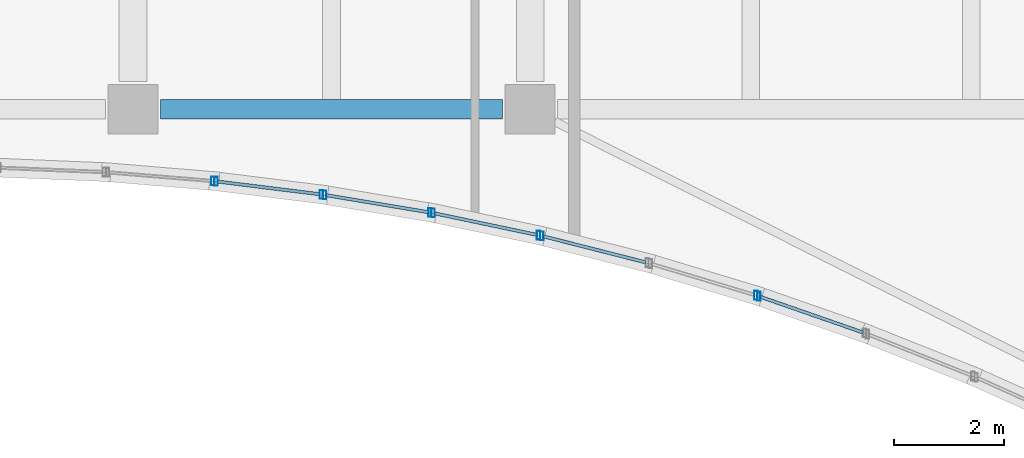
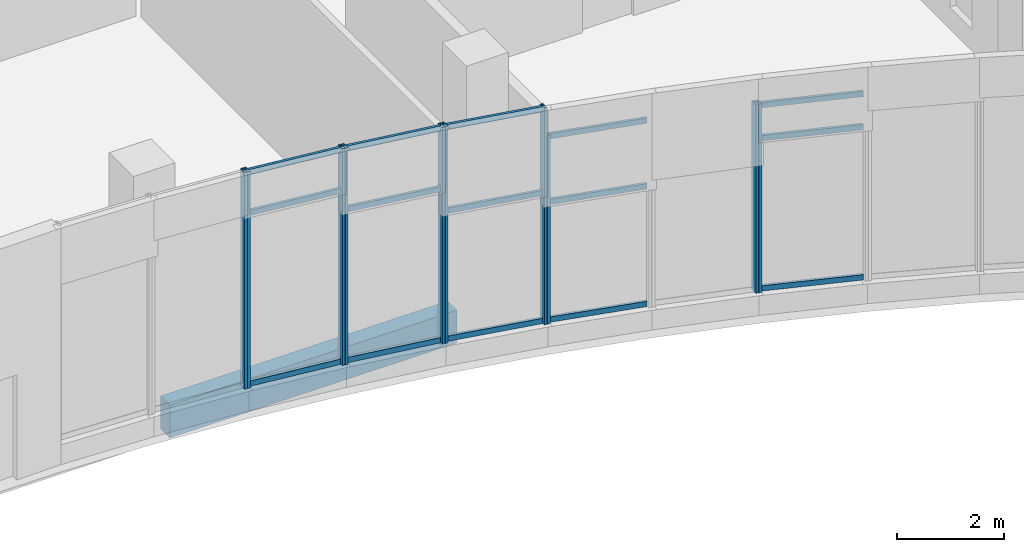
# One storey, part 98 of 192: 25 members, 1 beam, 7 elements without a shape of their own.
"""IFC4 building model written with IfcOpenShell, lengths in metres."""

from ifc_helpers import new_model, si_unit, direction, frame, origin, origin_2d, place, context, subcontext, project, spatial, rectangle, hollow_rectangle, extrude, material, material_profile, profile_set, type_object, element, aggregate, save


model = new_model("IFC4")

# Units and contexts
model_context = context("Model", 3, precision=1e-05, world=origin(), true_north=direction((0.0, 1.0)))
body_context = subcontext(model_context, "Body", "Model", "MODEL_VIEW")
ifc_project = project(units=[si_unit("LENGTHUNIT", "METRE"), si_unit("AREAUNIT", "SQUARE_METRE"), si_unit("VOLUMEUNIT", "CUBIC_METRE"), si_unit("PLANEANGLEUNIT", "RADIAN"), si_unit("MASSUNIT", "GRAM", prefix="KILO")], contexts=[model_context])

# Site, building, storey
site_placement = place(None, origin())
site = spatial("IfcSite", under=ifc_project, at=site_placement, CompositionType="ELEMENT")
building_placement = place(site_placement, origin())
building = spatial("IfcBuilding", under=site, at=building_placement, Name="Cendralis Lancet Convention Centre", CompositionType="ELEMENT")
storey_placement = place(building_placement, origin())
storey = spatial("IfcBuildingStorey", under=building, at=storey_placement, Name="L00", CompositionType="ELEMENT", Elevation=0.0)

# Curtain wall, member
ifc_material_1 = material(Name="Anodised bronze architectural aluminium", Category="aluminium")
curtain_wall_type = type_object("IfcCurtainWallType", Name="ARC-CW-WF02", PredefinedType="USERDEFINED", material=ifc_material_1)
curtain_wall_1_placement = place(storey_placement, origin())
curtain_wall_1 = element("IfcCurtainWall", 1, at=curtain_wall_1_placement, inside=storey, type_object=curtain_wall_type, Name="L00 Curtain Wall CW-WF2 #081", ObjectType="CURTAIN WALL", PredefinedType="USERDEFINED")
ifc_material_profile_1 = material_profile(ifc_material_1, hollow_rectangle(XDim=0.06005859375, YDim=0.159912109375, WallThickness=0.00390625, at=origin_2d()), Name="AL-MULL 60x160x4.0")
ifc_profile_set_1 = profile_set([ifc_material_profile_1], Name="Anodised bronze architectural aluminium")
member_type_1 = type_object("IfcMemberType", Name="ARC-CW-ML01", PredefinedType="MULLION", material=ifc_profile_set_1)
member_1_placement = place(storey_placement, frame((191.047119140625, 5.8974609375, 0.449951171875), z_axis=(0.0, 0.0, 1.0), x_axis=(1.0, 0.0, 0.0)))
member_1 = element("IfcMember", 2, at=member_1_placement, type_object=member_type_1, Name="Mullion CW2-CW-WF2-L00-081-M1", PredefinedType="MULLION", context=body_context, shape_type="SweptSolid", body=[
    extrude(hollow_rectangle(XDim=0.06005859375, YDim=0.159912109375, WallThickness=0.00390625, at=origin_2d()), origin(), (0.0, 0.0, 1.0), 4.949951171875),
])
aggregate(curtain_wall_1, [member_1])

# Curtain wall, members
curtain_wall_2_placement = place(storey_placement, origin())
curtain_wall_2 = element("IfcCurtainWall", 3, at=curtain_wall_2_placement, inside=storey, type_object=curtain_wall_type, Name="L00 Curtain Wall CW-WF2 #082", ObjectType="CURTAIN WALL", PredefinedType="USERDEFINED")
member_2_placement = place(storey_placement, frame((191.106689453125, 5.891357421875, 0.449951171875), z_axis=(0.0, 0.0, 1.0), x_axis=(1.0, 0.0, 0.0)))
member_2 = element("IfcMember", 4, at=member_2_placement, type_object=member_type_1, Name="Mullion CW2-CW-WF2-L00-082-M0", PredefinedType="MULLION", context=body_context, shape_type="SweptSolid", body=[
    extrude(hollow_rectangle(XDim=0.06005859375, YDim=0.159912109375, WallThickness=0.00390625, at=origin_2d()), origin(), (0.0, 0.0, 1.0), 4.949951171875),
])
member_3_placement = place(storey_placement, frame((193.01611328125, 5.65380859375, 0.449951171875), z_axis=(0.0, 0.0, 1.0), x_axis=(1.0, 0.0, 0.0)))
member_3 = element("IfcMember", 5, at=member_3_placement, type_object=member_type_1, Name="Mullion CW2-CW-WF2-L00-082-M1", PredefinedType="MULLION", context=body_context, shape_type="SweptSolid", body=[
    extrude(hollow_rectangle(XDim=0.06005859375, YDim=0.159912109375, WallThickness=0.00390625, at=origin_2d()), origin(), (0.0, 0.0, 1.0), 4.949951171875),
])

curtain_wall_3_placement = place(storey_placement, origin())
curtain_wall_3 = element("IfcCurtainWall", 6, at=curtain_wall_3_placement, inside=storey, type_object=curtain_wall_type, Name="L00 Curtain Wall CW-WF2 #083", ObjectType="CURTAIN WALL", PredefinedType="USERDEFINED")
member_4_placement = place(storey_placement, frame((193.07568359375, 5.64501953125, 0.449951171875), z_axis=(0.0, 0.0, 1.0), x_axis=(1.0, 0.0, 0.0)))
member_4 = element("IfcMember", 7, at=member_4_placement, type_object=member_type_1, Name="Mullion CW2-CW-WF2-L00-083-M0", PredefinedType="MULLION", context=body_context, shape_type="SweptSolid", body=[
    extrude(hollow_rectangle(XDim=0.06005859375, YDim=0.159912109375, WallThickness=0.00390625, at=origin_2d()), origin(), (0.0, 0.0, 1.0), 4.949951171875),
])
member_5_placement = place(storey_placement, frame((194.9853515625, 5.326904296875, 0.449951171875), z_axis=(0.0, 0.0, 1.0), x_axis=(1.0, 0.0, 0.0)))
member_5 = element("IfcMember", 8, at=member_5_placement, type_object=member_type_1, Name="Mullion CW2-CW-WF2-L00-083-M1", PredefinedType="MULLION", context=body_context, shape_type="SweptSolid", body=[
    extrude(hollow_rectangle(XDim=0.06005859375, YDim=0.159912109375, WallThickness=0.00390625, at=origin_2d()), origin(), (0.0, 0.0, 1.0), 4.949951171875),
])

curtain_wall_4_placement = place(storey_placement, origin())
curtain_wall_4 = element("IfcCurtainWall", 9, at=curtain_wall_4_placement, inside=storey, type_object=curtain_wall_type, Name="L00 Curtain Wall CW-WF2 #084", ObjectType="CURTAIN WALL", PredefinedType="USERDEFINED")
member_6_placement = place(storey_placement, frame((195.04443359375, 5.31591796875, 0.449951171875), z_axis=(0.0, 0.0, 1.0), x_axis=(1.0, 0.0, 0.0)))
member_6 = element("IfcMember", 10, at=member_6_placement, type_object=member_type_1, Name="Mullion CW2-CW-WF2-L00-084-M0", PredefinedType="MULLION", context=body_context, shape_type="SweptSolid", body=[
    extrude(hollow_rectangle(XDim=0.06005859375, YDim=0.159912109375, WallThickness=0.00390625, at=origin_2d()), origin(), (0.0, 0.0, 1.0), 4.949951171875),
])
member_7_placement = place(storey_placement, frame((196.95556640625, 4.914306640625, 0.449951171875), z_axis=(0.0, 0.0, 1.0), x_axis=(1.0, 0.0, 0.0)))
member_7 = element("IfcMember", 11, at=member_7_placement, type_object=member_type_1, Name="Mullion CW2-CW-WF2-L00-084-M1", PredefinedType="MULLION", context=body_context, shape_type="SweptSolid", body=[
    extrude(hollow_rectangle(XDim=0.06005859375, YDim=0.159912109375, WallThickness=0.00390625, at=origin_2d()), origin(), (0.0, 0.0, 1.0), 4.949951171875),
])

# Curtain wall, member
curtain_wall_5_placement = place(storey_placement, origin())
curtain_wall_5 = element("IfcCurtainWall", 12, at=curtain_wall_5_placement, inside=storey, type_object=curtain_wall_type, Name="L00 Curtain Wall CW-WF2 #085", ObjectType="CURTAIN WALL", PredefinedType="USERDEFINED")
member_8_placement = place(storey_placement, frame((197.01416015625, 4.900634765625, 0.449951171875), z_axis=(0.0, 0.0, 1.0), x_axis=(1.0, 0.0, 0.0)))
member_8 = element("IfcMember", 13, at=member_8_placement, type_object=member_type_1, Name="Mullion CW2-CW-WF2-L00-085-M0", PredefinedType="MULLION", context=body_context, shape_type="SweptSolid", body=[
    extrude(hollow_rectangle(XDim=0.06005859375, YDim=0.159912109375, WallThickness=0.00390625, at=origin_2d()), origin(), (0.0, 0.0, 1.0), 4.304931640625),
])

curtain_wall_6_placement = place(storey_placement, origin())
curtain_wall_6 = element("IfcCurtainWall", 14, at=curtain_wall_6_placement, inside=storey, type_object=curtain_wall_type, Name="L00 Curtain Wall CW-WF2 #086", ObjectType="CURTAIN WALL", PredefinedType="USERDEFINED")
member_9_placement = place(storey_placement, frame((200.894287109375, 3.82470703125, 0.449951171875), z_axis=(0.0, 0.0, 1.0), x_axis=(1.0, 0.0, 0.0)))
member_9 = element("IfcMember", 15, at=member_9_placement, type_object=member_type_1, Name="Mullion CW2-CW-WF2-L00-086-M1", PredefinedType="MULLION", context=body_context, shape_type="SweptSolid", body=[
    extrude(hollow_rectangle(XDim=0.06005859375, YDim=0.159912109375, WallThickness=0.00390625, at=origin_2d()), origin(), (0.0, 0.0, 1.0), 4.304931640625),
])
aggregate(curtain_wall_6, [member_9])

curtain_wall_7_placement = place(storey_placement, origin())
curtain_wall_7 = element("IfcCurtainWall", 16, at=curtain_wall_7_placement, inside=storey, type_object=curtain_wall_type, Name="L00 Curtain Wall CW-WF2 #087", ObjectType="CURTAIN WALL", PredefinedType="USERDEFINED")
member_10_placement = place(storey_placement, frame((200.951416015625, 3.80615234375, 0.449951171875), z_axis=(0.0, 0.0, 1.0), x_axis=(1.0, 0.0, 0.0)))
member_10 = element("IfcMember", 17, at=member_10_placement, type_object=member_type_1, Name="Mullion CW2-CW-WF2-L00-087-M0", PredefinedType="MULLION", context=body_context, shape_type="SweptSolid", body=[
    extrude(hollow_rectangle(XDim=0.06005859375, YDim=0.159912109375, WallThickness=0.00390625, at=origin_2d()), origin(), (0.0, 0.0, 1.0), 4.304931640625),
])

# Member
ifc_material_profile_2 = material_profile(ifc_material_1, hollow_rectangle(XDim=0.06005859375, YDim=0.1201171875, WallThickness=0.00390625, at=origin_2d()), Name="AL-TRAN 60x120x4.0")
ifc_profile_set_2 = profile_set([ifc_material_profile_2], Name="Anodised bronze architectural aluminium")
member_type_2 = type_object("IfcMemberType", Name="ARC-CW-TR01", PredefinedType="USERDEFINED", material=ifc_profile_set_2)
member_11_placement = place(storey_placement, frame((191.136474609375, 5.8876953125, 0.510009765625), z_axis=(0.992346222819, -0.123486736358, 0.0), x_axis=(0.123486736358, 0.992346222819, 0.0)))
member_11 = element("IfcMember", 18, at=member_11_placement, type_object=member_type_2, Name="Transom CW2-CW-WF2-L00-082-T0BOT", ObjectType="TRANSOM", PredefinedType="USERDEFINED", context=body_context, shape_type="SweptSolid", body=[
    extrude(hollow_rectangle(XDim=0.06005859375, YDim=0.1201171875, WallThickness=0.00390625, at=origin_2d()), origin(), (0.0, 0.0, 1.0), 1.8642578125),
])

member_12_placement = place(storey_placement, frame((191.136474609375, 5.8876953125, 4.407958984375), z_axis=(0.992346222819, -0.123486736358, 0.0), x_axis=(0.123486736358, 0.992346222819, 0.0)))
member_12 = element("IfcMember", 19, at=member_12_placement, type_object=member_type_2, Name="Transom CW2-CW-WF2-L00-082-T0MID", ObjectType="TRANSOM", PredefinedType="USERDEFINED", context=body_context, shape_type="SweptSolid", body=[
    extrude(hollow_rectangle(XDim=0.06005859375, YDim=0.1201171875, WallThickness=0.00390625, at=origin_2d()), origin(), (0.0, 0.0, 1.0), 1.8642578125),
])

member_13_placement = place(storey_placement, frame((191.136474609375, 5.8876953125, 5.340087890625), z_axis=(0.992346222819, -0.123486736358, 0.0), x_axis=(0.123486736358, 0.992346222819, 0.0)))
member_13 = element("IfcMember", 20, at=member_13_placement, type_object=member_type_2, Name="Transom CW2-CW-WF2-L00-082-T0TOP", ObjectType="TRANSOM", PredefinedType="USERDEFINED", context=body_context, shape_type="SweptSolid", body=[
    extrude(hollow_rectangle(XDim=0.06005859375, YDim=0.1201171875, WallThickness=0.00390625, at=origin_2d()), origin(), (0.0, 0.0, 1.0), 1.8642578125),
])

aggregate(curtain_wall_2, [member_2, member_3, member_11, member_12, member_13])

member_14_placement = place(storey_placement, frame((193.105224609375, 5.64013671875, 0.510009765625), z_axis=(0.986400957094, -0.164356782165, 0.0), x_axis=(0.164356782165, 0.986400957094, 0.0)))
member_14 = element("IfcMember", 21, at=member_14_placement, type_object=member_type_2, Name="Transom CW2-CW-WF2-L00-083-T0BOT", ObjectType="TRANSOM", PredefinedType="USERDEFINED", context=body_context, shape_type="SweptSolid", body=[
    extrude(hollow_rectangle(XDim=0.06005859375, YDim=0.1201171875, WallThickness=0.00390625, at=origin_2d()), origin(), (0.0, 0.0, 1.0), 1.876220703125),
])

member_15_placement = place(storey_placement, frame((193.105224609375, 5.64013671875, 3.955078125), z_axis=(0.986400957094, -0.164356782165, 0.0), x_axis=(0.164356782165, 0.986400957094, 0.0)))
member_15 = element("IfcMember", 22, at=member_15_placement, type_object=member_type_2, Name="Transom CW2-CW-WF2-L00-083-T0MID", ObjectType="TRANSOM", PredefinedType="USERDEFINED", context=body_context, shape_type="SweptSolid", body=[
    extrude(hollow_rectangle(XDim=0.06005859375, YDim=0.1201171875, WallThickness=0.00390625, at=origin_2d()), origin(), (0.0, 0.0, 1.0), 1.876220703125),
])

member_16_placement = place(storey_placement, frame((193.105224609375, 5.64013671875, 5.340087890625), z_axis=(0.986400957094, -0.164356782165, 0.0), x_axis=(0.164356782165, 0.986400957094, 0.0)))
member_16 = element("IfcMember", 23, at=member_16_placement, type_object=member_type_2, Name="Transom CW2-CW-WF2-L00-083-T0TOP", ObjectType="TRANSOM", PredefinedType="USERDEFINED", context=body_context, shape_type="SweptSolid", body=[
    extrude(hollow_rectangle(XDim=0.06005859375, YDim=0.1201171875, WallThickness=0.00390625, at=origin_2d()), origin(), (0.0, 0.0, 1.0), 1.876220703125),
])

aggregate(curtain_wall_3, [member_4, member_5, member_14, member_15, member_16])

member_17_placement = place(storey_placement, frame((195.07373046875, 5.309814453125, 0.510009765625), z_axis=(0.978614050577, -0.205704982956, 0.0), x_axis=(0.205704982956, 0.978614050577, 0.0)))
member_17 = element("IfcMember", 24, at=member_17_placement, type_object=member_type_2, Name="Transom CW2-CW-WF2-L00-084-T0BOT", ObjectType="TRANSOM", PredefinedType="USERDEFINED", context=body_context, shape_type="SweptSolid", body=[
    extrude(hollow_rectangle(XDim=0.06005859375, YDim=0.1201171875, WallThickness=0.00390625, at=origin_2d()), origin(), (0.0, 0.0, 1.0), 1.89306640625),
])

member_18_placement = place(storey_placement, frame((195.07373046875, 5.309814453125, 3.428955078125), z_axis=(0.978614050577, -0.205704982956, 0.0), x_axis=(0.205704982956, 0.978614050577, 0.0)))
member_18 = element("IfcMember", 25, at=member_18_placement, type_object=member_type_2, Name="Transom CW2-CW-WF2-L00-084-T0MID", ObjectType="TRANSOM", PredefinedType="USERDEFINED", context=body_context, shape_type="SweptSolid", body=[
    extrude(hollow_rectangle(XDim=0.06005859375, YDim=0.1201171875, WallThickness=0.00390625, at=origin_2d()), origin(), (0.0, 0.0, 1.0), 1.89306640625),
])

member_19_placement = place(storey_placement, frame((195.07373046875, 5.309814453125, 5.340087890625), z_axis=(0.978614050577, -0.205704982956, 0.0), x_axis=(0.205704982956, 0.978614050577, 0.0)))
member_19 = element("IfcMember", 26, at=member_19_placement, type_object=member_type_2, Name="Transom CW2-CW-WF2-L00-084-T0TOP", ObjectType="TRANSOM", PredefinedType="USERDEFINED", context=body_context, shape_type="SweptSolid", body=[
    extrude(hollow_rectangle(XDim=0.06005859375, YDim=0.1201171875, WallThickness=0.00390625, at=origin_2d()), origin(), (0.0, 0.0, 1.0), 1.89306640625),
])

aggregate(curtain_wall_4, [member_6, member_7, member_17, member_18, member_19])

member_20_placement = place(storey_placement, frame((197.043212890625, 4.893310546875, 0.510009765625), z_axis=(0.969234155184, -0.246140513579, 0.0), x_axis=(0.246140513579, 0.969234155184, 0.0)))
member_20 = element("IfcMember", 27, at=member_20_placement, type_object=member_type_2, Name="Transom CW2-CW-WF2-L00-085-T0BOT", ObjectType="TRANSOM", PredefinedType="USERDEFINED", context=body_context, shape_type="SweptSolid", body=[
    extrude(hollow_rectangle(XDim=0.06005859375, YDim=0.1201171875, WallThickness=0.00390625, at=origin_2d()), origin(), (0.0, 0.0, 1.0), 1.911376953125),
])

member_21_placement = place(storey_placement, frame((197.043212890625, 4.893310546875, 3.195068359375), z_axis=(0.969234155184, -0.246140513579, 0.0), x_axis=(0.246140513579, 0.969234155184, 0.0)))
member_21 = element("IfcMember", 28, at=member_21_placement, type_object=member_type_2, Name="Transom CW2-CW-WF2-L00-085-T0MID", ObjectType="TRANSOM", PredefinedType="USERDEFINED", context=body_context, shape_type="SweptSolid", body=[
    extrude(hollow_rectangle(XDim=0.06005859375, YDim=0.1201171875, WallThickness=0.00390625, at=origin_2d()), origin(), (0.0, 0.0, 1.0), 1.911376953125),
])

member_22_placement = place(storey_placement, frame((197.043212890625, 4.893310546875, 4.695068359375), z_axis=(0.969234155184, -0.246140513579, 0.0), x_axis=(0.246140513579, 0.969234155184, 0.0)))
member_22 = element("IfcMember", 29, at=member_22_placement, type_object=member_type_2, Name="Transom CW2-CW-WF2-L00-085-T0TOP", ObjectType="TRANSOM", PredefinedType="USERDEFINED", context=body_context, shape_type="SweptSolid", body=[
    extrude(hollow_rectangle(XDim=0.06005859375, YDim=0.1201171875, WallThickness=0.00390625, at=origin_2d()), origin(), (0.0, 0.0, 1.0), 1.911376953125),
])

aggregate(curtain_wall_5, [member_8, member_20, member_21, member_22])

member_23_placement = place(storey_placement, frame((200.979736328125, 3.79638671875, 0.510009765625), z_axis=(0.94443810527, -0.328689314268, 0.0), x_axis=(0.328689314268, 0.94443810527, 0.0)))
member_23 = element("IfcMember", 30, at=member_23_placement, type_object=member_type_2, Name="Transom CW2-CW-WF2-L00-087-T0BOT", ObjectType="TRANSOM", PredefinedType="USERDEFINED", context=body_context, shape_type="SweptSolid", body=[
    extrude(hollow_rectangle(XDim=0.06005859375, YDim=0.1201171875, WallThickness=0.00390625, at=origin_2d()), origin(), (0.0, 0.0, 1.0), 1.964599609375),
])

member_24_placement = place(storey_placement, frame((200.979736328125, 3.79638671875, 3.93798828125), z_axis=(0.94443810527, -0.328689314268, 0.0), x_axis=(0.328689314268, 0.94443810527, 0.0)))
member_24 = element("IfcMember", 31, at=member_24_placement, type_object=member_type_2, Name="Transom CW2-CW-WF2-L00-087-T0MID", ObjectType="TRANSOM", PredefinedType="USERDEFINED", context=body_context, shape_type="SweptSolid", body=[
    extrude(hollow_rectangle(XDim=0.06005859375, YDim=0.1201171875, WallThickness=0.00390625, at=origin_2d()), origin(), (0.0, 0.0, 1.0), 1.964599609375),
])

member_25_placement = place(storey_placement, frame((200.979736328125, 3.79638671875, 4.695068359375), z_axis=(0.94443810527, -0.328689314268, 0.0), x_axis=(0.328689314268, 0.94443810527, 0.0)))
member_25 = element("IfcMember", 32, at=member_25_placement, type_object=member_type_2, Name="Transom CW2-CW-WF2-L00-087-T0TOP", ObjectType="TRANSOM", PredefinedType="USERDEFINED", context=body_context, shape_type="SweptSolid", body=[
    extrude(hollow_rectangle(XDim=0.06005859375, YDim=0.1201171875, WallThickness=0.00390625, at=origin_2d()), origin(), (0.0, 0.0, 1.0), 1.964599609375),
])

aggregate(curtain_wall_7, [member_10, member_23, member_24, member_25])

# Beam
ifc_material_2 = material(Name="Concrete G40 (C40/50)", Category="concrete")
ifc_material_profile_3 = material_profile(ifc_material_2, rectangle(XDim=0.35009765625, YDim=0.75, at=origin_2d()), Name="RCB 350x750")
ifc_profile_set_3 = profile_set([ifc_material_profile_3], Name="Concrete G40 (C40/50)")
beam_type = type_object("IfcBeamType", Name="STR-SP-SP01", PredefinedType="SPANDREL", material=ifc_profile_set_3)
beam_placement = place(storey_placement, frame((190.10009765625, 7.199951171875, -0.695068359375), z_axis=(1.0, 0.0, 0.0), x_axis=(0.0, 1.0, 0.0)))
element("IfcBeam", 33, at=beam_placement, inside=storey, type_object=beam_type, Name="L00 Beam SP01 #0009", PredefinedType="SPANDREL", context=body_context, shape_type="SweptSolid", body=[
    extrude(rectangle(XDim=0.35009765625, YDim=0.75, at=origin_2d()), origin(), (0.0, 0.0, 1.0), 6.199951171875),
])

save(model, "model.ifc")
